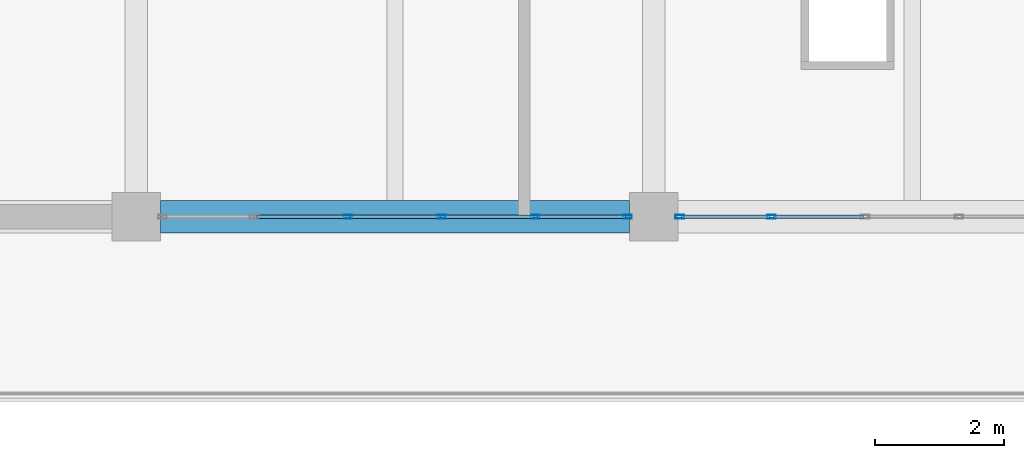
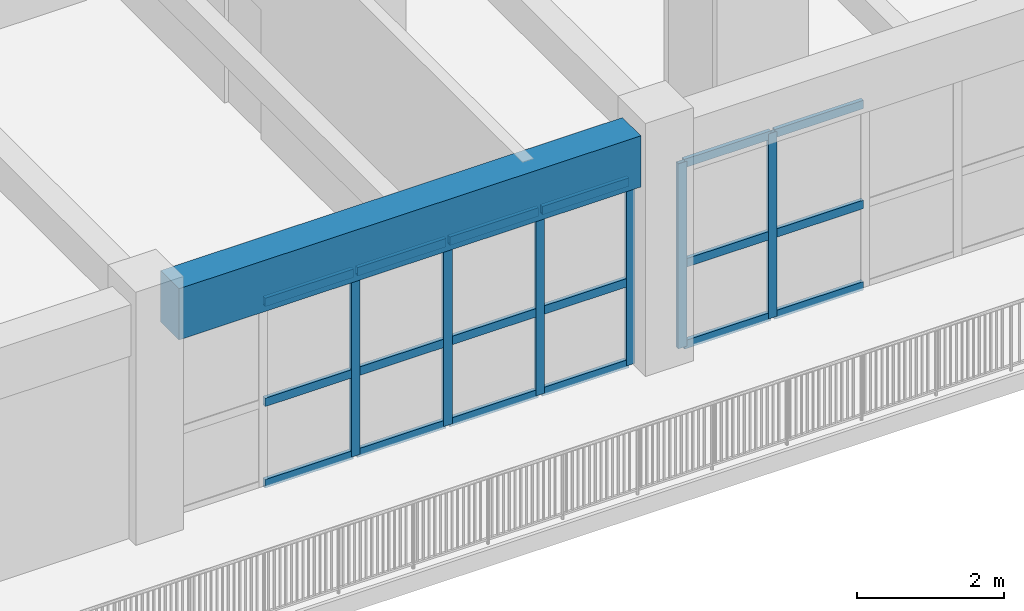
# One storey, part 14 of 63: 24 members, 1 beam, 2 elements without a shape of their own.
"""IFC4 building model written with IfcOpenShell, lengths in metres."""

from ifc_helpers import new_model, si_unit, direction, frame, origin, origin_2d, place, context, subcontext, project, spatial, rectangle, hollow_rectangle, extrude, material, material_profile, profile_set, type_object, element, aggregate, save


model = new_model("IFC4")

# Units and contexts
model_context = context("Model", 3, precision=1e-05, world=origin(), true_north=direction((0.0, 1.0)))
body_context = subcontext(model_context, "Body", "Model", "MODEL_VIEW")
ifc_project = project(units=[si_unit("LENGTHUNIT", "METRE"), si_unit("AREAUNIT", "SQUARE_METRE"), si_unit("VOLUMEUNIT", "CUBIC_METRE"), si_unit("PLANEANGLEUNIT", "RADIAN"), si_unit("MASSUNIT", "GRAM", prefix="KILO")], contexts=[model_context])

# Site, building, storey
site_placement = place(None, origin())
site = spatial("IfcSite", under=ifc_project, at=site_placement, CompositionType="ELEMENT")
building_placement = place(site_placement, origin())
building = spatial("IfcBuilding", under=site, at=building_placement, Name="Zantavel Square City Hall", CompositionType="ELEMENT")
storey_placement = place(building_placement, frame((0.0, 0.0, 14.699951171875)))
storey = spatial("IfcBuildingStorey", under=building, at=storey_placement, Name="L04", CompositionType="ELEMENT", Elevation=14.699951171875)

# Curtain wall, members
ifc_material_1 = material(Name="Anodised aluminium 6063-T6", Category="aluminium")
curtain_wall_type = type_object("IfcCurtainWallType", Name="Curtain Wall TRV1 7250x3070", PredefinedType="USERDEFINED", material=ifc_material_1)
curtain_wall_1_placement = place(storey_placement, origin())
curtain_wall_1 = element("IfcCurtainWall", 1, at=curtain_wall_1_placement, inside=storey, type_object=curtain_wall_type, Name="L04 Glazed Curtain Wall CW-L04-116", ObjectType="GLAZED CURTAIN WALL", PredefinedType="USERDEFINED")
ifc_material_profile_1 = material_profile(ifc_material_1, hollow_rectangle(XDim=0.06005859375, YDim=0.135009765625, WallThickness=0.00390625, at=origin_2d()), Name="ALU 60x135x4")
ifc_profile_set_1 = profile_set([ifc_material_profile_1], Name="Anodised aluminium 6063-T6")
member_type_1 = type_object("IfcMemberType", Name="CW Mullion ALU 60x135x4", PredefinedType="MULLION", material=ifc_profile_set_1)
member_1_placement = place(storey_placement, frame((81.824951171875, 30.39990234375, 0.0), z_axis=(0.0, 0.0, 1.0), x_axis=(0.0, -1.0, 0.0)))
member_1 = element("IfcMember", 2, at=member_1_placement, type_object=member_type_1, Name="CW-116 mullion 5", PredefinedType="MULLION", context=body_context, shape_type="SweptSolid", body=[
    extrude(hollow_rectangle(XDim=0.06005859375, YDim=0.135009765625, WallThickness=0.00390625, at=origin_2d()), origin(), (0.0, 0.0, 1.0), 3.070068359375),
])
member_2_placement = place(storey_placement, frame((80.405029296875, 30.39990234375, 0.0), z_axis=(0.0, 0.0, 1.0), x_axis=(0.0, -1.0, 0.0)))
member_2 = element("IfcMember", 3, at=member_2_placement, type_object=member_type_1, Name="CW-116 mullion 6", PredefinedType="MULLION", context=body_context, shape_type="SweptSolid", body=[
    extrude(hollow_rectangle(XDim=0.06005859375, YDim=0.135009765625, WallThickness=0.00390625, at=origin_2d()), origin(), (0.0, 0.0, 1.0), 3.070068359375),
])

curtain_wall_2_placement = place(storey_placement, origin())
curtain_wall_2 = element("IfcCurtainWall", 4, at=curtain_wall_2_placement, inside=storey, type_object=curtain_wall_type, Name="L04 Glazed Curtain Wall CW-L04-117", ObjectType="GLAZED CURTAIN WALL", PredefinedType="USERDEFINED")
member_3_placement = place(storey_placement, frame((79.594970703125, 30.39990234375, 0.0), z_axis=(0.0, 0.0, 1.0), x_axis=(0.0, -1.0, 0.0)))
member_3 = element("IfcMember", 5, at=member_3_placement, type_object=member_type_1, Name="CW-117 mullion 1", PredefinedType="MULLION", context=body_context, shape_type="SweptSolid", body=[
    extrude(hollow_rectangle(XDim=0.06005859375, YDim=0.135009765625, WallThickness=0.00390625, at=origin_2d()), origin(), (0.0, 0.0, 1.0), 3.070068359375),
])
member_4_placement = place(storey_placement, frame((78.175048828125, 30.39990234375, 0.0), z_axis=(0.0, 0.0, 1.0), x_axis=(0.0, -1.0, 0.0)))
member_4 = element("IfcMember", 6, at=member_4_placement, type_object=member_type_1, Name="CW-117 mullion 2", PredefinedType="MULLION", context=body_context, shape_type="SweptSolid", body=[
    extrude(hollow_rectangle(XDim=0.06005859375, YDim=0.135009765625, WallThickness=0.00390625, at=origin_2d()), origin(), (0.0, 0.0, 1.0), 3.070068359375),
])
member_5_placement = place(storey_placement, frame((76.72509765625, 30.39990234375, 0.0), z_axis=(0.0, 0.0, 1.0), x_axis=(0.0, -1.0, 0.0)))
member_5 = element("IfcMember", 7, at=member_5_placement, type_object=member_type_1, Name="CW-117 mullion 3", PredefinedType="MULLION", context=body_context, shape_type="SweptSolid", body=[
    extrude(hollow_rectangle(XDim=0.06005859375, YDim=0.135009765625, WallThickness=0.00390625, at=origin_2d()), origin(), (0.0, 0.0, 1.0), 3.070068359375),
])
member_6_placement = place(storey_placement, frame((75.27490234375, 30.39990234375, 0.0), z_axis=(0.0, 0.0, 1.0), x_axis=(0.0, -1.0, 0.0)))
member_6 = element("IfcMember", 8, at=member_6_placement, type_object=member_type_1, Name="CW-117 mullion 4", PredefinedType="MULLION", context=body_context, shape_type="SweptSolid", body=[
    extrude(hollow_rectangle(XDim=0.06005859375, YDim=0.135009765625, WallThickness=0.00390625, at=origin_2d()), origin(), (0.0, 0.0, 1.0), 3.070068359375),
])

# Member
ifc_material_profile_2 = material_profile(ifc_material_1, hollow_rectangle(XDim=0.06005859375, YDim=0.139892578125, WallThickness=0.00390625, at=origin_2d()), Name="ALU 60x140x4")
ifc_profile_set_2 = profile_set([ifc_material_profile_2], Name="Anodised aluminium 6063-T6")
member_type_2 = type_object("IfcMemberType", Name="CW Transom ALU 60x140x4", PredefinedType="USERDEFINED", material=ifc_profile_set_2)
member_7_placement = place(storey_placement, frame((83.2451171875, 30.39990234375, 0.030029296875), z_axis=(-1.0, 0.0, 0.0), x_axis=(0.0, -1.0, 0.0)))
member_7 = element("IfcMember", 9, at=member_7_placement, type_object=member_type_2, Name="CW-116 transom 4.1", ObjectType="TRANSOM", PredefinedType="USERDEFINED", context=body_context, shape_type="SweptSolid", body=[
    extrude(hollow_rectangle(XDim=0.06005859375, YDim=0.139892578125, WallThickness=0.00390625, at=origin_2d()), origin(), (0.0, 0.0, 1.0), 1.39013671875),
])

member_8_placement = place(storey_placement, frame((83.2451171875, 30.39990234375, 1.381103515625), z_axis=(-1.0, 0.0, 0.0), x_axis=(0.0, -1.0, 0.0)))
member_8 = element("IfcMember", 10, at=member_8_placement, type_object=member_type_2, Name="CW-116 transom 4.2", ObjectType="TRANSOM", PredefinedType="USERDEFINED", context=body_context, shape_type="SweptSolid", body=[
    extrude(hollow_rectangle(XDim=0.06005859375, YDim=0.139892578125, WallThickness=0.00390625, at=origin_2d()), origin(), (0.0, 0.0, 1.0), 1.39013671875),
])

member_9_placement = place(storey_placement, frame((83.2451171875, 30.39990234375, 3.0400390625), z_axis=(-1.0, 0.0, 0.0), x_axis=(0.0, -1.0, 0.0)))
member_9 = element("IfcMember", 11, at=member_9_placement, type_object=member_type_2, Name="CW-116 transom 4.3", ObjectType="TRANSOM", PredefinedType="USERDEFINED", context=body_context, shape_type="SweptSolid", body=[
    extrude(hollow_rectangle(XDim=0.06005859375, YDim=0.139892578125, WallThickness=0.00390625, at=origin_2d()), origin(), (0.0, 0.0, 1.0), 1.39013671875),
])

member_10_placement = place(storey_placement, frame((81.794921875, 30.39990234375, 0.030029296875), z_axis=(-1.0, 0.0, 0.0), x_axis=(0.0, -1.0, 0.0)))
member_10 = element("IfcMember", 12, at=member_10_placement, type_object=member_type_2, Name="CW-116 transom 5.1", ObjectType="TRANSOM", PredefinedType="USERDEFINED", context=body_context, shape_type="SweptSolid", body=[
    extrude(hollow_rectangle(XDim=0.06005859375, YDim=0.139892578125, WallThickness=0.00390625, at=origin_2d()), origin(), (0.0, 0.0, 1.0), 1.35986328125),
])

member_11_placement = place(storey_placement, frame((81.794921875, 30.39990234375, 1.381103515625), z_axis=(-1.0, 0.0, 0.0), x_axis=(0.0, -1.0, 0.0)))
member_11 = element("IfcMember", 13, at=member_11_placement, type_object=member_type_2, Name="CW-116 transom 5.2", ObjectType="TRANSOM", PredefinedType="USERDEFINED", context=body_context, shape_type="SweptSolid", body=[
    extrude(hollow_rectangle(XDim=0.06005859375, YDim=0.139892578125, WallThickness=0.00390625, at=origin_2d()), origin(), (0.0, 0.0, 1.0), 1.35986328125),
])

member_12_placement = place(storey_placement, frame((81.794921875, 30.39990234375, 3.0400390625), z_axis=(-1.0, 0.0, 0.0), x_axis=(0.0, -1.0, 0.0)))
member_12 = element("IfcMember", 14, at=member_12_placement, type_object=member_type_2, Name="CW-116 transom 5.3", ObjectType="TRANSOM", PredefinedType="USERDEFINED", context=body_context, shape_type="SweptSolid", body=[
    extrude(hollow_rectangle(XDim=0.06005859375, YDim=0.139892578125, WallThickness=0.00390625, at=origin_2d()), origin(), (0.0, 0.0, 1.0), 1.35986328125),
])

aggregate(curtain_wall_1, [member_1, member_2, member_7, member_8, member_9, member_10, member_11, member_12])

member_13_placement = place(storey_placement, frame((79.56494140625, 30.39990234375, 0.030029296875), z_axis=(-1.0, 0.0, 0.0), x_axis=(0.0, -1.0, 0.0)))
member_13 = element("IfcMember", 15, at=member_13_placement, type_object=member_type_2, Name="CW-117 transom 1.1", ObjectType="TRANSOM", PredefinedType="USERDEFINED", context=body_context, shape_type="SweptSolid", body=[
    extrude(hollow_rectangle(XDim=0.06005859375, YDim=0.139892578125, WallThickness=0.00390625, at=origin_2d()), origin(), (0.0, 0.0, 1.0), 1.35986328125),
])

member_14_placement = place(storey_placement, frame((79.56494140625, 30.39990234375, 1.381103515625), z_axis=(-1.0, 0.0, 0.0), x_axis=(0.0, -1.0, 0.0)))
member_14 = element("IfcMember", 16, at=member_14_placement, type_object=member_type_2, Name="CW-117 transom 1.2", ObjectType="TRANSOM", PredefinedType="USERDEFINED", context=body_context, shape_type="SweptSolid", body=[
    extrude(hollow_rectangle(XDim=0.06005859375, YDim=0.139892578125, WallThickness=0.00390625, at=origin_2d()), origin(), (0.0, 0.0, 1.0), 1.35986328125),
])

member_15_placement = place(storey_placement, frame((79.56494140625, 30.39990234375, 3.0400390625), z_axis=(-1.0, 0.0, 0.0), x_axis=(0.0, -1.0, 0.0)))
member_15 = element("IfcMember", 17, at=member_15_placement, type_object=member_type_2, Name="CW-117 transom 1.3", ObjectType="TRANSOM", PredefinedType="USERDEFINED", context=body_context, shape_type="SweptSolid", body=[
    extrude(hollow_rectangle(XDim=0.06005859375, YDim=0.139892578125, WallThickness=0.00390625, at=origin_2d()), origin(), (0.0, 0.0, 1.0), 1.35986328125),
])

member_16_placement = place(storey_placement, frame((78.14501953125, 30.39990234375, 0.030029296875), z_axis=(-1.0, 0.0, 0.0), x_axis=(0.0, -1.0, 0.0)))
member_16 = element("IfcMember", 18, at=member_16_placement, type_object=member_type_2, Name="CW-117 transom 2.1", ObjectType="TRANSOM", PredefinedType="USERDEFINED", context=body_context, shape_type="SweptSolid", body=[
    extrude(hollow_rectangle(XDim=0.06005859375, YDim=0.139892578125, WallThickness=0.00390625, at=origin_2d()), origin(), (0.0, 0.0, 1.0), 1.39013671875),
])

member_17_placement = place(storey_placement, frame((78.14501953125, 30.39990234375, 1.381103515625), z_axis=(-1.0, 0.0, 0.0), x_axis=(0.0, -1.0, 0.0)))
member_17 = element("IfcMember", 19, at=member_17_placement, type_object=member_type_2, Name="CW-117 transom 2.2", ObjectType="TRANSOM", PredefinedType="USERDEFINED", context=body_context, shape_type="SweptSolid", body=[
    extrude(hollow_rectangle(XDim=0.06005859375, YDim=0.139892578125, WallThickness=0.00390625, at=origin_2d()), origin(), (0.0, 0.0, 1.0), 1.39013671875),
])

member_18_placement = place(storey_placement, frame((78.14501953125, 30.39990234375, 3.0400390625), z_axis=(-1.0, 0.0, 0.0), x_axis=(0.0, -1.0, 0.0)))
member_18 = element("IfcMember", 20, at=member_18_placement, type_object=member_type_2, Name="CW-117 transom 2.3", ObjectType="TRANSOM", PredefinedType="USERDEFINED", context=body_context, shape_type="SweptSolid", body=[
    extrude(hollow_rectangle(XDim=0.06005859375, YDim=0.139892578125, WallThickness=0.00390625, at=origin_2d()), origin(), (0.0, 0.0, 1.0), 1.39013671875),
])

member_19_placement = place(storey_placement, frame((76.695068359375, 30.39990234375, 0.030029296875), z_axis=(-1.0, 0.0, 0.0), x_axis=(0.0, -1.0, 0.0)))
member_19 = element("IfcMember", 21, at=member_19_placement, type_object=member_type_2, Name="CW-117 transom 3.1", ObjectType="TRANSOM", PredefinedType="USERDEFINED", context=body_context, shape_type="SweptSolid", body=[
    extrude(hollow_rectangle(XDim=0.06005859375, YDim=0.139892578125, WallThickness=0.00390625, at=origin_2d()), origin(), (0.0, 0.0, 1.0), 1.39013671875),
])

member_20_placement = place(storey_placement, frame((76.695068359375, 30.39990234375, 1.381103515625), z_axis=(-1.0, 0.0, 0.0), x_axis=(0.0, -1.0, 0.0)))
member_20 = element("IfcMember", 22, at=member_20_placement, type_object=member_type_2, Name="CW-117 transom 3.2", ObjectType="TRANSOM", PredefinedType="USERDEFINED", context=body_context, shape_type="SweptSolid", body=[
    extrude(hollow_rectangle(XDim=0.06005859375, YDim=0.139892578125, WallThickness=0.00390625, at=origin_2d()), origin(), (0.0, 0.0, 1.0), 1.39013671875),
])

member_21_placement = place(storey_placement, frame((76.695068359375, 30.39990234375, 3.0400390625), z_axis=(-1.0, 0.0, 0.0), x_axis=(0.0, -1.0, 0.0)))
member_21 = element("IfcMember", 23, at=member_21_placement, type_object=member_type_2, Name="CW-117 transom 3.3", ObjectType="TRANSOM", PredefinedType="USERDEFINED", context=body_context, shape_type="SweptSolid", body=[
    extrude(hollow_rectangle(XDim=0.06005859375, YDim=0.139892578125, WallThickness=0.00390625, at=origin_2d()), origin(), (0.0, 0.0, 1.0), 1.39013671875),
])

member_22_placement = place(storey_placement, frame((75.2451171875, 30.39990234375, 0.030029296875), z_axis=(-1.0, 0.0, 0.0), x_axis=(0.0, -1.0, 0.0)))
member_22 = element("IfcMember", 24, at=member_22_placement, type_object=member_type_2, Name="CW-117 transom 4.1", ObjectType="TRANSOM", PredefinedType="USERDEFINED", context=body_context, shape_type="SweptSolid", body=[
    extrude(hollow_rectangle(XDim=0.06005859375, YDim=0.139892578125, WallThickness=0.00390625, at=origin_2d()), origin(), (0.0, 0.0, 1.0), 1.39013671875),
])

member_23_placement = place(storey_placement, frame((75.2451171875, 30.39990234375, 1.381103515625), z_axis=(-1.0, 0.0, 0.0), x_axis=(0.0, -1.0, 0.0)))
member_23 = element("IfcMember", 25, at=member_23_placement, type_object=member_type_2, Name="CW-117 transom 4.2", ObjectType="TRANSOM", PredefinedType="USERDEFINED", context=body_context, shape_type="SweptSolid", body=[
    extrude(hollow_rectangle(XDim=0.06005859375, YDim=0.139892578125, WallThickness=0.00390625, at=origin_2d()), origin(), (0.0, 0.0, 1.0), 1.39013671875),
])

member_24_placement = place(storey_placement, frame((75.2451171875, 30.39990234375, 3.0400390625), z_axis=(-1.0, 0.0, 0.0), x_axis=(0.0, -1.0, 0.0)))
member_24 = element("IfcMember", 26, at=member_24_placement, type_object=member_type_2, Name="CW-117 transom 4.3", ObjectType="TRANSOM", PredefinedType="USERDEFINED", context=body_context, shape_type="SweptSolid", body=[
    extrude(hollow_rectangle(XDim=0.06005859375, YDim=0.139892578125, WallThickness=0.00390625, at=origin_2d()), origin(), (0.0, 0.0, 1.0), 1.39013671875),
])

aggregate(curtain_wall_2, [member_3, member_4, member_5, member_6, member_13, member_14, member_15, member_16, member_17, member_18, member_19, member_20, member_21, member_22, member_23, member_24])

# Beam
ifc_material_2 = material(Name="Concrete C40/50", Category="concrete")
ifc_material_profile_3 = material_profile(ifc_material_2, rectangle(XDim=0.5, YDim=0.85009765625, at=origin_2d()), Name="RC 500x850")
ifc_profile_set_3 = profile_set([ifc_material_profile_3], Name="Concrete C40/50")
beam_type = type_object("IfcBeamType", Name="Council Chamber Girder RC 500x850 C40/50", PredefinedType="BEAM", material=ifc_profile_set_3)
beam_placement = place(storey_placement, frame((72.375, 30.39990234375, 3.4951171875), z_axis=(1.0, 0.0, 0.0), x_axis=(0.0, 1.0, 0.0)))
element("IfcBeam", 27, at=beam_placement, inside=storey, type_object=beam_type, Name="L04 Girder BMX-L04-0720-0304", PredefinedType="BEAM", context=body_context, shape_type="SweptSolid", body=[
    extrude(rectangle(XDim=0.5, YDim=0.85009765625, at=origin_2d()), origin(), (0.0, 0.0, 1.0), 7.25),
])

save(model, "model.ifc")
